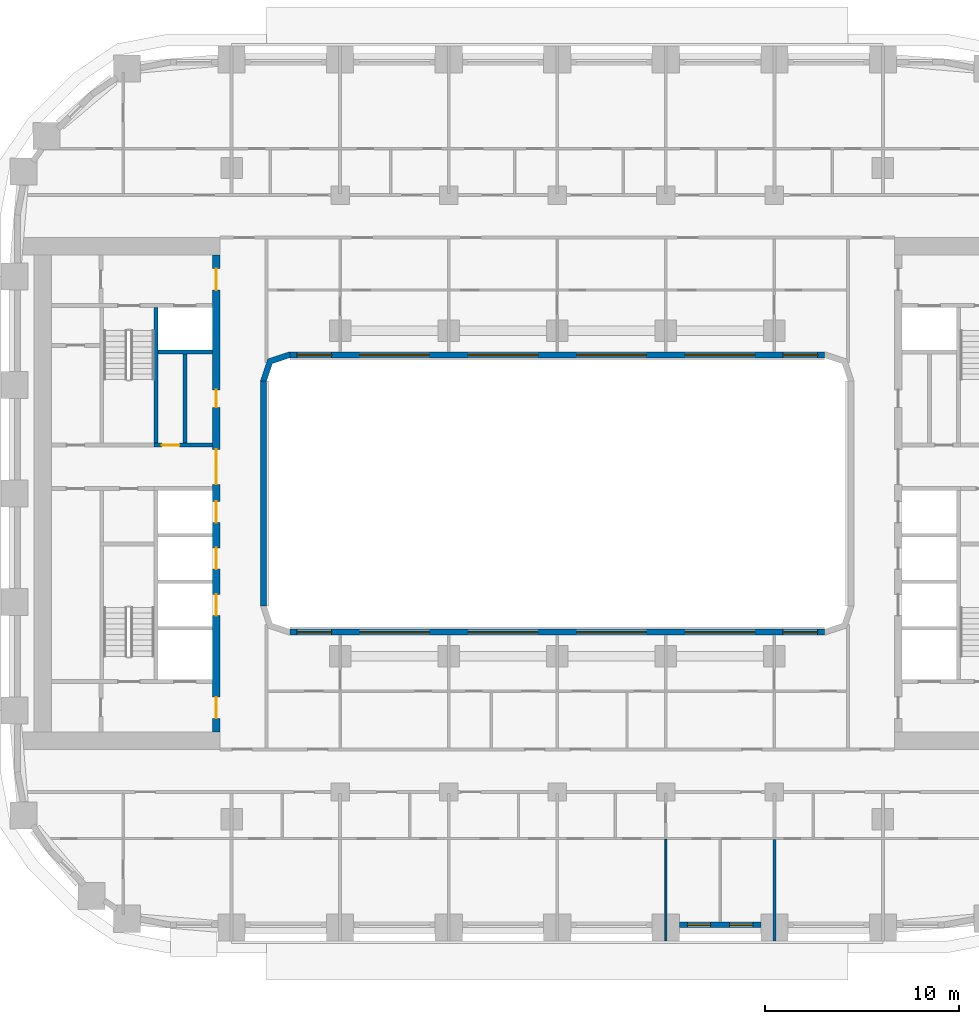
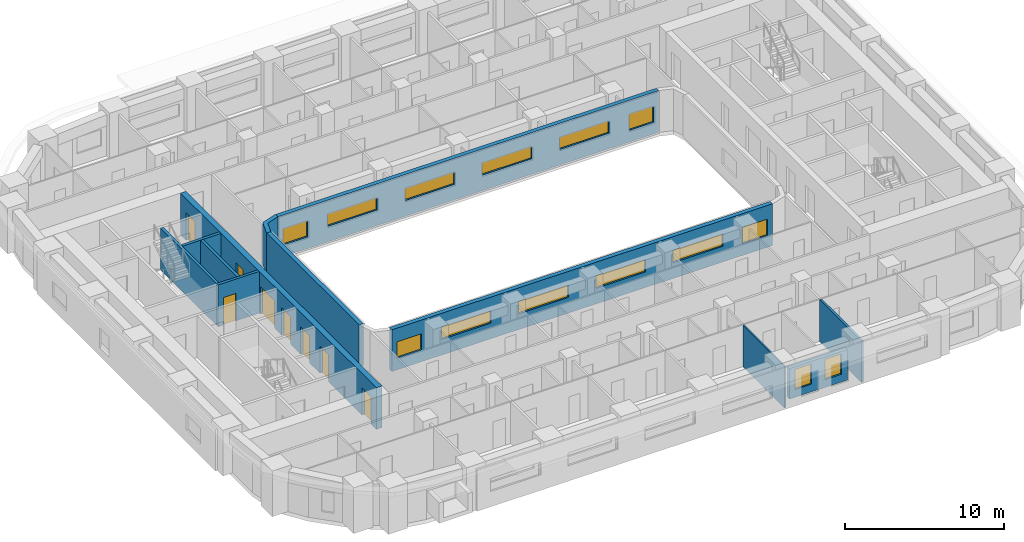
# One storey, part 5 of 22: 14 windows, 12 walls, 8 doors, 22 openings.
"""IFC4 building model written with IfcOpenShell, lengths in metres."""

from ifc_helpers import new_model, si_unit, direction, frame, frame_2d, origin, place, context, subcontext, project, spatial, polyline, rectangle, outline, extrude, material, layer, layer_set, type_object, element, fill, save


model = new_model("IFC4")

# Units and contexts
model_context = context("Model", 3, precision=1e-05, world=origin(), true_north=direction((0.0, 1.0)))
body_context = subcontext(model_context, "Body", "Model", "MODEL_VIEW")
ifc_project = project(units=[si_unit("LENGTHUNIT", "METRE"), si_unit("AREAUNIT", "SQUARE_METRE"), si_unit("VOLUMEUNIT", "CUBIC_METRE"), si_unit("PLANEANGLEUNIT", "RADIAN"), si_unit("MASSUNIT", "GRAM", prefix="KILO")], contexts=[model_context])

# Site, building, storey
site_placement = place(None, origin())
site = spatial("IfcSite", under=ifc_project, at=site_placement, CompositionType="ELEMENT")
building_placement = place(site_placement, origin())
building = spatial("IfcBuilding", under=site, at=building_placement, Name="Kiln Ring Residences", CompositionType="ELEMENT")
storey_placement = place(building_placement, frame((0.0, 0.0, 65.5)))
storey = spatial("IfcBuildingStorey", under=building, at=storey_placement, Name="L16", CompositionType="ELEMENT", Elevation=65.5)

# Wall
ifc_material_1 = material(Name="Gypsum board on steel studs", Category="steel")
ifc_layer_1 = layer(ifc_material_1, 0.199951171875)
ifc_layer_set_1 = layer_set([ifc_layer_1], Name="CORE-PARTITION-200")
wall_type_1 = type_object("IfcWallType", Name="CORE-PARTITION-200", PredefinedType="PARTITIONING", material=ifc_layer_set_1)
wall_1_placement = place(storey_placement, frame((-19.199951171875, 2.60009765625, 0.0), z_axis=(0.0, 0.0, 1.0), x_axis=(0.0, 1.0, 0.0)))
element("IfcWall", 1, at=wall_1_placement, inside=storey, type_object=wall_type_1, Name="Core partition west L16 3", PredefinedType="PARTITIONING", context=body_context, shape_type="SweptSolid", body=[
    extrude(rectangle(XDim=4.599853515625, YDim=0.199951171875, at=frame_2d((2.2998046875, 0.0))), origin(), (0.0, 0.0, 1.0), 3.199951171875),
])

# Wall, opening, door
ifc_material_2 = material(Name="Gypsum shaft wall system")
ifc_layer_2 = layer(ifc_material_2, 0.199951171875)
ifc_layer_set_2 = layer_set([ifc_layer_2], Name="CORE-SHAFT-WALL-200")
wall_type_2 = type_object("IfcWallType", Name="CORE-SHAFT-WALL-200", PredefinedType="PARTITIONING", material=ifc_layer_set_2)
wall_2_placement = place(storey_placement, frame((-17.800048828125, 2.5, 0.0), z_axis=(0.0, 0.0, 1.0), x_axis=(-1.0, 0.0, 0.0)))
wall_2 = element("IfcWall", 2, at=wall_2_placement, inside=storey, type_object=wall_type_2, Name="Core partition west L16 11", PredefinedType="PARTITIONING", context=body_context, shape_type="SweptSolid", body=[
    extrude(rectangle(XDim=3.0, YDim=0.199951171875, at=frame_2d((1.5, 0.0))), origin(), (0.0, 0.0, 1.0), 3.199951171875),
])
opening_1_placement = place(wall_2_placement, frame((1.699951171875, 0.0, 0.0)))
opening_1 = element("IfcOpeningElement", 3, at=opening_1_placement, cuts=wall_2, Name="Opening L16-CW06", PredefinedType="OPENING", context=body_context, shape_type="SweptSolid", body=[
    extrude(rectangle(XDim=0.89990234375, YDim=2.10009765625, at=frame_2d((0.449951171875, 1.050048828125))), frame((0.0, 0.10986328125, 0.0), z_axis=(0.0, -1.0, 0.0), x_axis=(1.0, 0.0, 0.0)), (0.0, 0.0, 1.0), 0.219970703125),
])
ifc_material_3 = material(Name="Steel door leaf", Category="steel")
door_type_1 = type_object("IfcDoorType", Name="CORE-DOOR-ROOM", OperationType="SINGLE_SWING_LEFT", PredefinedType="DOOR", material=ifc_material_3)
door_1_placement = place(opening_1_placement, origin())
door_1 = element("IfcDoor", 4, at=door_1_placement, inside=storey, type_object=door_type_1, Name="Service store L16-CW06", OperationType="SINGLE_SWING_LEFT", OverallHeight=2.10009765625, OverallWidth=0.89990234375, PredefinedType="DOOR", context=body_context, shape_type="SweptSolid", body=[
    extrude(rectangle(XDim=0.89990234375, YDim=2.10009765625, at=frame_2d((0.449951171875, 1.050048828125))), frame((0.0, 0.02490234375, 0.0), z_axis=(0.0, -1.0, 0.0), x_axis=(1.0, 0.0, 0.0)), (0.0, 0.0, 1.0), 0.050048828125),
])
fill(opening_1, door_1)

# Walls
wall_3_placement = place(storey_placement, frame((-17.800048828125, 7.300048828125, 0.0), z_axis=(0.0, 0.0, 1.0), x_axis=(-1.0, 0.0, 0.0)))
element("IfcWall", 5, at=wall_3_placement, inside=storey, type_object=wall_type_2, Name="Core partition west L16 12", PredefinedType="PARTITIONING", context=body_context, shape_type="SweptSolid", body=[
    extrude(rectangle(XDim=2.800048828125, YDim=0.199951171875, at=frame_2d((1.39990234375, 0.0))), origin(), (0.0, 0.0, 1.0), 3.199951171875),
])
ifc_material_4 = material(Name="Concrete C40/50", Category="concrete")
ifc_layer_3 = layer(ifc_material_4, 0.199951171875)
ifc_layer_set_3 = layer_set([ifc_layer_3], Name="CORE-WALL-RC200")
wall_type_3 = type_object("IfcWallType", Name="CORE-WALL-RC200", PredefinedType="SHEAR", material=ifc_layer_set_3)
wall_4_placement = place(storey_placement, frame((-20.699951171875, 2.60009765625, 0.0), z_axis=(0.0, 0.0, 1.0), x_axis=(0.0, 1.0, 0.0)))
element("IfcWall", 6, at=wall_4_placement, inside=storey, type_object=wall_type_3, Name="Core wall west L16 1", PredefinedType="SHEAR", context=body_context, shape_type="SweptSolid", body=[
    extrude(rectangle(XDim=7.0, YDim=0.199951171875, at=frame_2d((3.5, 0.0))), origin(), (0.0, 0.0, 1.0), 3.199951171875),
])

# Wall, openings, doors
ifc_material_5 = material(Name="Concrete C60/75", Category="concrete")
ifc_layer_4 = layer(ifc_material_5, 0.39990234375)
ifc_layer_set_4 = layer_set([ifc_layer_4], Name="CORE-WALL-RC400")
wall_type_4 = type_object("IfcWallType", Name="CORE-WALL-RC400", PredefinedType="SHEAR", material=ifc_layer_set_4)
wall_5_placement = place(storey_placement, frame((-17.60009765625, -12.300048828125, 0.0), z_axis=(0.0, 0.0, 1.0), x_axis=(0.0, 1.0, 0.0)))
wall_5 = element("IfcWall", 7, at=wall_5_placement, inside=storey, type_object=wall_type_4, Name="Core wall west L16 6", PredefinedType="SHEAR", context=body_context, shape_type="SweptSolid", body=[
    extrude(rectangle(XDim=24.60009765625, YDim=0.39990234375, at=frame_2d((12.300048828125, 0.0))), origin(), (0.0, 0.0, 1.0), 3.199951171875),
])
opening_2_placement = place(wall_5_placement, frame((6.0, 0.0, 0.0)))
opening_2 = element("IfcOpeningElement", 8, at=opening_2_placement, cuts=wall_5, Name="Opening L16-CW02", PredefinedType="OPENING", context=body_context, shape_type="SweptSolid", body=[
    extrude(rectangle(XDim=1.10009765625, YDim=2.10009765625, at=frame_2d((0.550048828125, 1.050048828125))), frame((0.0, 0.2099609375, 0.0), z_axis=(0.0, -1.0, 0.0), x_axis=(1.0, 0.0, 0.0)), (0.0, 0.0, 1.0), 0.419921875),
])
opening_3_placement = place(wall_5_placement, frame((8.39990234375, 0.0, 0.0)))
opening_3 = element("IfcOpeningElement", 9, at=opening_3_placement, cuts=wall_5, Name="Opening L16-CW03", PredefinedType="OPENING", context=body_context, shape_type="SweptSolid", body=[
    extrude(rectangle(XDim=1.10009765625, YDim=2.10009765625, at=frame_2d((0.550048828125, 1.050048828125))), frame((0.0, 0.2099609375, 0.0), z_axis=(0.0, -1.0, 0.0), x_axis=(1.0, 0.0, 0.0)), (0.0, 0.0, 1.0), 0.419921875),
])
opening_4_placement = place(wall_5_placement, frame((10.800048828125, 0.0, 0.0)))
opening_4 = element("IfcOpeningElement", 10, at=opening_4_placement, cuts=wall_5, Name="Opening L16-CW04", PredefinedType="OPENING", context=body_context, shape_type="SweptSolid", body=[
    extrude(rectangle(XDim=1.10009765625, YDim=2.10009765625, at=frame_2d((0.550048828125, 1.050048828125))), frame((0.0, 0.2099609375, 0.0), z_axis=(0.0, -1.0, 0.0), x_axis=(1.0, 0.0, 0.0)), (0.0, 0.0, 1.0), 0.419921875),
])
opening_5_placement = place(wall_5_placement, frame((16.75, 0.0, 0.0)))
opening_5 = element("IfcOpeningElement", 11, at=opening_5_placement, cuts=wall_5, Name="Opening L16-CW05", PredefinedType="OPENING", context=body_context, shape_type="SweptSolid", body=[
    extrude(rectangle(XDim=0.89990234375, YDim=2.10009765625, at=frame_2d((0.449951171875, 1.050048828125))), frame((0.0, 0.2099609375, 0.0), z_axis=(0.0, -1.0, 0.0), x_axis=(1.0, 0.0, 0.0)), (0.0, 0.0, 1.0), 0.419921875),
])
opening_6_placement = place(wall_5_placement, frame((22.800048828125, 0.0, 0.0)))
opening_6 = element("IfcOpeningElement", 12, at=opening_6_placement, cuts=wall_5, Name="Opening L16-CW08", PredefinedType="OPENING", context=body_context, shape_type="SweptSolid", body=[
    extrude(rectangle(XDim=1.10009765625, YDim=2.10009765625, at=frame_2d((0.550048828125, 1.050048828125))), frame((0.0, 0.2099609375, 0.0), z_axis=(0.0, -1.0, 0.0), x_axis=(1.0, 0.0, 0.0)), (0.0, 0.0, 1.0), 0.419921875),
])
opening_7_placement = place(wall_5_placement, frame((0.699951171875, 0.0, 0.0)))
opening_7 = element("IfcOpeningElement", 13, at=opening_7_placement, cuts=wall_5, Name="Opening L16-CW09", PredefinedType="OPENING", context=body_context, shape_type="SweptSolid", body=[
    extrude(rectangle(XDim=1.10009765625, YDim=2.10009765625, at=frame_2d((0.550048828125, 1.050048828125))), frame((0.0, 0.2099609375, 0.0), z_axis=(0.0, -1.0, 0.0), x_axis=(1.0, 0.0, 0.0)), (0.0, 0.0, 1.0), 0.419921875),
])
opening_8_placement = place(wall_5_placement, frame((12.77490234375, 0.0, 0.0)))
opening_8 = element("IfcOpeningElement", 14, at=opening_8_placement, cuts=wall_5, Name="Opening L16-CW14", PredefinedType="OPENING", context=body_context, shape_type="SweptSolid", body=[
    extrude(rectangle(XDim=1.800048828125, YDim=2.10009765625, at=frame_2d((0.89990234375, 1.050048828125))), frame((0.0, 0.2099609375, 0.0), z_axis=(0.0, -1.0, 0.0), x_axis=(1.0, 0.0, 0.0)), (0.0, 0.0, 1.0), 0.419921875),
])
ifc_material_6 = material(Name="Steel door leaf", Category="steel")
door_type_2 = type_object("IfcDoorType", Name="CORE-DOOR-LD", OperationType="DOUBLE_DOOR_SLIDING", PredefinedType="DOOR", material=ifc_material_6)
door_2_placement = place(opening_2_placement, origin())
door_2 = element("IfcDoor", 15, at=door_2_placement, inside=storey, type_object=door_type_2, Name="LD W-L1 L16-CW02", OperationType="DOUBLE_DOOR_SLIDING", OverallHeight=2.10009765625, OverallWidth=1.10009765625, PredefinedType="DOOR", context=body_context, shape_type="SweptSolid", body=[
    extrude(rectangle(XDim=1.10009765625, YDim=2.10009765625, at=frame_2d((0.550048828125, 1.050048828125))), frame((0.0, 0.02490234375, 0.0), z_axis=(0.0, -1.0, 0.0), x_axis=(1.0, 0.0, 0.0)), (0.0, 0.0, 1.0), 0.050048828125),
])
fill(opening_2, door_2)
door_3_placement = place(opening_3_placement, origin())
door_3 = element("IfcDoor", 16, at=door_3_placement, inside=storey, type_object=door_type_2, Name="LD W-L2 L16-CW03", OperationType="DOUBLE_DOOR_SLIDING", OverallHeight=2.10009765625, OverallWidth=1.10009765625, PredefinedType="DOOR", context=body_context, shape_type="SweptSolid", body=[
    extrude(rectangle(XDim=1.10009765625, YDim=2.10009765625, at=frame_2d((0.550048828125, 1.050048828125))), frame((0.0, 0.02490234375, 0.0), z_axis=(0.0, -1.0, 0.0), x_axis=(1.0, 0.0, 0.0)), (0.0, 0.0, 1.0), 0.050048828125),
])
fill(opening_3, door_3)
door_4_placement = place(opening_4_placement, origin())
door_4 = element("IfcDoor", 17, at=door_4_placement, inside=storey, type_object=door_type_2, Name="LD W-L3 L16-CW04", OperationType="DOUBLE_DOOR_SLIDING", OverallHeight=2.10009765625, OverallWidth=1.10009765625, PredefinedType="DOOR", context=body_context, shape_type="SweptSolid", body=[
    extrude(rectangle(XDim=1.10009765625, YDim=2.10009765625, at=frame_2d((0.550048828125, 1.050048828125))), frame((0.0, 0.02490234375, 0.0), z_axis=(0.0, -1.0, 0.0), x_axis=(1.0, 0.0, 0.0)), (0.0, 0.0, 1.0), 0.050048828125),
])
fill(opening_4, door_4)
ifc_material_7 = material(Name="Steel door leaf", Category="steel")
door_type_3 = type_object("IfcDoorType", Name="CORE-DOOR-LOBBY", OperationType="SINGLE_SWING_LEFT", PredefinedType="DOOR", material=ifc_material_7)
door_5_placement = place(opening_6_placement, origin())
door_5 = element("IfcDoor", 18, at=door_5_placement, inside=storey, type_object=door_type_3, Name="FFL L16-CW08", OperationType="SINGLE_SWING_LEFT", OverallHeight=2.10009765625, OverallWidth=1.10009765625, PredefinedType="DOOR", context=body_context, shape_type="SweptSolid", body=[
    extrude(rectangle(XDim=1.10009765625, YDim=2.10009765625, at=frame_2d((0.550048828125, 1.050048828125))), frame((0.0, 0.02490234375, 0.0), z_axis=(0.0, -1.0, 0.0), x_axis=(1.0, 0.0, 0.0)), (0.0, 0.0, 1.0), 0.050048828125),
])
fill(opening_6, door_5)
door_6_placement = place(opening_7_placement, origin())
door_6 = element("IfcDoor", 19, at=door_6_placement, inside=storey, type_object=door_type_3, Name="SVL L16-CW09", OperationType="SINGLE_SWING_RIGHT", OverallHeight=2.10009765625, OverallWidth=1.10009765625, PredefinedType="DOOR", context=body_context, shape_type="SweptSolid", body=[
    extrude(rectangle(XDim=1.10009765625, YDim=2.10009765625, at=frame_2d((0.550048828125, 1.050048828125))), frame((0.0, 0.02490234375, 0.0), z_axis=(0.0, -1.0, 0.0), x_axis=(1.0, 0.0, 0.0)), (0.0, 0.0, 1.0), 0.050048828125),
])
fill(opening_7, door_6)
ifc_material_8 = material(Name="Steel door leaf", Category="steel")
door_type_4 = type_object("IfcDoorType", Name="CORE-DOOR-PASS", OperationType="DOUBLE_DOOR_SINGLE_SWING", PredefinedType="DOOR", material=ifc_material_8)
door_7_placement = place(opening_8_placement, origin())
door_7 = element("IfcDoor", 20, at=door_7_placement, inside=storey, type_object=door_type_4, Name="Core passage L16-CW14", OperationType="DOUBLE_DOOR_SINGLE_SWING", OverallHeight=2.10009765625, OverallWidth=1.800048828125, PredefinedType="DOOR", context=body_context, shape_type="SweptSolid", body=[
    extrude(rectangle(XDim=1.800048828125, YDim=2.10009765625, at=frame_2d((0.89990234375, 1.050048828125))), frame((0.0, 0.02490234375, 0.0), z_axis=(0.0, -1.0, 0.0), x_axis=(1.0, 0.0, 0.0)), (0.0, 0.0, 1.0), 0.050048828125),
])
fill(opening_8, door_7)
door_8_placement = place(opening_5_placement, origin())
door_8 = element("IfcDoor", 21, at=door_8_placement, inside=storey, type_object=door_type_1, Name="Linen store L16-CW05", OperationType="SINGLE_SWING_LEFT", OverallHeight=2.10009765625, OverallWidth=0.89990234375, PredefinedType="DOOR", context=body_context, shape_type="SweptSolid", body=[
    extrude(rectangle(XDim=0.89990234375, YDim=2.10009765625, at=frame_2d((0.449951171875, 1.050048828125))), frame((0.0, 0.02490234375, 0.0), z_axis=(0.0, -1.0, 0.0), x_axis=(1.0, 0.0, 0.0)), (0.0, 0.0, 1.0), 0.050048828125),
])
fill(opening_5, door_8)

# Wall, openings, windows
ifc_material_9 = material(Name="Brick masonry, dark clay brick", Category="masonry")
ifc_layer_5 = layer(ifc_material_9, 0.300048828125)
ifc_layer_set_5 = layer_set([ifc_layer_5], Name="EW-300 BRICK WALL")
wall_type_5 = type_object("IfcWallType", Name="EW-300 BRICK WALL", PredefinedType="SOLIDWALL", material=ifc_layer_set_5)
wall_6_placement = place(storey_placement, frame((6.300048828125, -22.25, 0.0), z_axis=(0.0, 0.0, 1.0), x_axis=(1.0, 0.0, 0.0)))
wall_6 = element("IfcWall", 22, at=wall_6_placement, inside=storey, type_object=wall_type_5, Name="Facade wall L16 9", PredefinedType="SOLIDWALL", context=body_context, shape_type="SweptSolid", body=[
    extrude(rectangle(XDim=4.199951171875, YDim=0.300048828125, at=frame_2d((2.10009765625, 0.0))), origin(), (0.0, 0.0, 1.0), 2.35009765625),
])
opening_9_placement = place(wall_6_placement, frame((0.41259765625, 0.0, 0.60009765625)))
opening_9 = element("IfcOpeningElement", 23, at=opening_9_placement, cuts=wall_6, Name="Opening W1", PredefinedType="OPENING", context=body_context, shape_type="SweptSolid", body=[
    extrude(rectangle(XDim=1.199951171875, YDim=1.550048828125, at=frame_2d((0.60009765625, 0.77490234375))), frame((0.0, 0.159912109375, 0.0), z_axis=(0.0, -1.0, 0.0), x_axis=(1.0, 0.0, 0.0)), (0.0, 0.0, 1.0), 0.320068359375),
])
opening_10_placement = place(wall_6_placement, frame((2.58740234375, 0.0, 0.60009765625)))
opening_10 = element("IfcOpeningElement", 24, at=opening_10_placement, cuts=wall_6, Name="Opening W1", PredefinedType="OPENING", context=body_context, shape_type="SweptSolid", body=[
    extrude(rectangle(XDim=1.199951171875, YDim=1.550048828125, at=frame_2d((0.60009765625, 0.77490234375))), frame((0.0, 0.159912109375, 0.0), z_axis=(0.0, -1.0, 0.0), x_axis=(1.0, 0.0, 0.0)), (0.0, 0.0, 1.0), 0.320068359375),
])
ifc_material_10 = material(Name="Aluminium frame with double glazing", Category="aluminium")
window_type_1 = type_object("IfcWindowType", Name="WINDOW 1200 x 1550", PartitioningType="SINGLE_PANEL", PredefinedType="WINDOW", material=ifc_material_10)
window_1_placement = place(opening_9_placement, origin())
window_1 = element("IfcWindow", 25, at=window_1_placement, inside=storey, type_object=window_type_1, Name="Window L16 7", OverallHeight=1.550048828125, OverallWidth=1.199951171875, PartitioningType="SINGLE_PANEL", PredefinedType="WINDOW", context=body_context, shape_type="SweptSolid", body=[
    extrude(rectangle(XDim=1.199951171875, YDim=1.550048828125, at=frame_2d((0.60009765625, 0.77490234375))), frame((0.0, 0.030029296875, 0.0), z_axis=(0.0, -1.0, 0.0), x_axis=(1.0, 0.0, 0.0)), (0.0, 0.0, 1.0), 0.06005859375),
])
fill(opening_9, window_1)
window_2_placement = place(opening_10_placement, origin())
window_2 = element("IfcWindow", 26, at=window_2_placement, inside=storey, type_object=window_type_1, Name="Window L16 8", OverallHeight=1.550048828125, OverallWidth=1.199951171875, PartitioningType="SINGLE_PANEL", PredefinedType="WINDOW", context=body_context, shape_type="SweptSolid", body=[
    extrude(rectangle(XDim=1.199951171875, YDim=1.550048828125, at=frame_2d((0.60009765625, 0.77490234375))), frame((0.0, 0.030029296875, 0.0), z_axis=(0.0, -1.0, 0.0), x_axis=(1.0, 0.0, 0.0)), (0.0, 0.0, 1.0), 0.06005859375),
])
fill(opening_10, window_2)

# Wall
wall_7_placement = place(storey_placement, frame((-15.14990234375, -5.800048828125, 0.0), z_axis=(0.0, 0.0, 1.0), x_axis=(0.0, 1.0, 0.0)))
element("IfcWall", 27, at=wall_7_placement, inside=storey, type_object=wall_type_5, Name="Facade wall L16 49", PredefinedType="SOLIDWALL", context=body_context, shape_type="SweptSolid", body=[
    extrude(rectangle(XDim=11.60009765625, YDim=0.300048828125, at=frame_2d((5.800048828125, 0.0))), origin(), (0.0, 0.0, 1.0), 3.199951171875),
])

# Wall, openings, windows
wall_8_placement = place(storey_placement, frame((-13.800048828125, 7.14990234375, 0.0), z_axis=(0.0, 0.0, 1.0), x_axis=(1.0, 0.0, 0.0)))
wall_8 = element("IfcWall", 28, at=wall_8_placement, inside=storey, type_object=wall_type_5, Name="Facade wall L16 50", PredefinedType="SOLIDWALL", context=body_context, shape_type="SweptSolid", body=[
    extrude(rectangle(XDim=27.60009765625, YDim=0.300048828125, at=frame_2d((13.800048828125, 0.0))), origin(), (0.0, 0.0, 1.0), 3.199951171875),
])
opening_11_placement = place(wall_8_placement, frame((0.362548828125, 0.0, 0.89990234375)))
opening_11 = element("IfcOpeningElement", 29, at=opening_11_placement, cuts=wall_8, Name="Opening W2", PredefinedType="OPENING", context=body_context, shape_type="SweptSolid", body=[
    extrude(rectangle(XDim=1.800048828125, YDim=1.25, at=frame_2d((0.89990234375, 0.625))), frame((0.0, 0.159912109375, 0.0), z_axis=(0.0, -1.0, 0.0), x_axis=(1.0, 0.0, 0.0)), (0.0, 0.0, 1.0), 0.320068359375),
])
opening_12_placement = place(wall_8_placement, frame((3.60009765625, 0.0, 1.199951171875)))
opening_12 = element("IfcOpeningElement", 30, at=opening_12_placement, cuts=wall_8, Name="Opening W4", PredefinedType="OPENING", context=body_context, shape_type="SweptSolid", body=[
    extrude(rectangle(XDim=3.60009765625, YDim=0.949951171875, at=frame_2d((1.800048828125, 0.47509765625))), frame((0.0, 0.159912109375, 0.0), z_axis=(0.0, -1.0, 0.0), x_axis=(1.0, 0.0, 0.0)), (0.0, 0.0, 1.0), 0.320068359375),
])
opening_13_placement = place(wall_8_placement, frame((9.199951171875, 0.0, 1.199951171875)))
opening_13 = element("IfcOpeningElement", 31, at=opening_13_placement, cuts=wall_8, Name="Opening W4", PredefinedType="OPENING", context=body_context, shape_type="SweptSolid", body=[
    extrude(rectangle(XDim=3.60009765625, YDim=0.949951171875, at=frame_2d((1.800048828125, 0.47509765625))), frame((0.0, 0.159912109375, 0.0), z_axis=(0.0, -1.0, 0.0), x_axis=(1.0, 0.0, 0.0)), (0.0, 0.0, 1.0), 0.320068359375),
])
opening_14_placement = place(wall_8_placement, frame((14.800048828125, 0.0, 1.199951171875)))
opening_14 = element("IfcOpeningElement", 32, at=opening_14_placement, cuts=wall_8, Name="Opening W4", PredefinedType="OPENING", context=body_context, shape_type="SweptSolid", body=[
    extrude(rectangle(XDim=3.60009765625, YDim=0.949951171875, at=frame_2d((1.800048828125, 0.47509765625))), frame((0.0, 0.159912109375, 0.0), z_axis=(0.0, -1.0, 0.0), x_axis=(1.0, 0.0, 0.0)), (0.0, 0.0, 1.0), 0.320068359375),
])
opening_15_placement = place(wall_8_placement, frame((20.39990234375, 0.0, 1.199951171875)))
opening_15 = element("IfcOpeningElement", 33, at=opening_15_placement, cuts=wall_8, Name="Opening W4", PredefinedType="OPENING", context=body_context, shape_type="SweptSolid", body=[
    extrude(rectangle(XDim=3.60009765625, YDim=0.949951171875, at=frame_2d((1.800048828125, 0.47509765625))), frame((0.0, 0.159912109375, 0.0), z_axis=(0.0, -1.0, 0.0), x_axis=(1.0, 0.0, 0.0)), (0.0, 0.0, 1.0), 0.320068359375),
])
opening_16_placement = place(wall_8_placement, frame((25.4375, 0.0, 0.89990234375)))
opening_16 = element("IfcOpeningElement", 34, at=opening_16_placement, cuts=wall_8, Name="Opening W2", PredefinedType="OPENING", context=body_context, shape_type="SweptSolid", body=[
    extrude(rectangle(XDim=1.800048828125, YDim=1.25, at=frame_2d((0.89990234375, 0.625))), frame((0.0, 0.159912109375, 0.0), z_axis=(0.0, -1.0, 0.0), x_axis=(1.0, 0.0, 0.0)), (0.0, 0.0, 1.0), 0.320068359375),
])
ifc_material_11 = material(Name="Aluminium frame with double glazing", Category="aluminium")
window_type_2 = type_object("IfcWindowType", Name="WINDOW 1800 x 1250", PartitioningType="SINGLE_PANEL", PredefinedType="WINDOW", material=ifc_material_11)
window_3_placement = place(opening_11_placement, origin())
window_3 = element("IfcWindow", 35, at=window_3_placement, inside=storey, type_object=window_type_2, Name="Window L16 22", OverallHeight=1.25, OverallWidth=1.800048828125, PartitioningType="SINGLE_PANEL", PredefinedType="WINDOW", context=body_context, shape_type="SweptSolid", body=[
    extrude(rectangle(XDim=1.800048828125, YDim=1.25, at=frame_2d((0.89990234375, 0.625))), frame((0.0, 0.030029296875, 0.0), z_axis=(0.0, -1.0, 0.0), x_axis=(1.0, 0.0, 0.0)), (0.0, 0.0, 1.0), 0.06005859375),
])
fill(opening_11, window_3)
window_4_placement = place(opening_16_placement, origin())
window_4 = element("IfcWindow", 36, at=window_4_placement, inside=storey, type_object=window_type_2, Name="Window L16 27", OverallHeight=1.25, OverallWidth=1.800048828125, PartitioningType="SINGLE_PANEL", PredefinedType="WINDOW", context=body_context, shape_type="SweptSolid", body=[
    extrude(rectangle(XDim=1.800048828125, YDim=1.25, at=frame_2d((0.89990234375, 0.625))), frame((0.0, 0.030029296875, 0.0), z_axis=(0.0, -1.0, 0.0), x_axis=(1.0, 0.0, 0.0)), (0.0, 0.0, 1.0), 0.06005859375),
])
fill(opening_16, window_4)
ifc_material_12 = material(Name="Aluminium frame with double glazing", Category="aluminium")
window_type_3 = type_object("IfcWindowType", Name="WINDOW 3600 x 950", PartitioningType="SINGLE_PANEL", PredefinedType="WINDOW", material=ifc_material_12)
window_5_placement = place(opening_12_placement, origin())
window_5 = element("IfcWindow", 37, at=window_5_placement, inside=storey, type_object=window_type_3, Name="Window L16 23", OverallHeight=0.949951171875, OverallWidth=3.60009765625, PartitioningType="SINGLE_PANEL", PredefinedType="WINDOW", context=body_context, shape_type="SweptSolid", body=[
    extrude(rectangle(XDim=3.60009765625, YDim=0.949951171875, at=frame_2d((1.800048828125, 0.47509765625))), frame((0.0, 0.030029296875, 0.0), z_axis=(0.0, -1.0, 0.0), x_axis=(1.0, 0.0, 0.0)), (0.0, 0.0, 1.0), 0.06005859375),
])
fill(opening_12, window_5)
window_6_placement = place(opening_13_placement, origin())
window_6 = element("IfcWindow", 38, at=window_6_placement, inside=storey, type_object=window_type_3, Name="Window L16 24", OverallHeight=0.949951171875, OverallWidth=3.60009765625, PartitioningType="SINGLE_PANEL", PredefinedType="WINDOW", context=body_context, shape_type="SweptSolid", body=[
    extrude(rectangle(XDim=3.60009765625, YDim=0.949951171875, at=frame_2d((1.800048828125, 0.47509765625))), frame((0.0, 0.030029296875, 0.0), z_axis=(0.0, -1.0, 0.0), x_axis=(1.0, 0.0, 0.0)), (0.0, 0.0, 1.0), 0.06005859375),
])
fill(opening_13, window_6)
window_7_placement = place(opening_14_placement, origin())
window_7 = element("IfcWindow", 39, at=window_7_placement, inside=storey, type_object=window_type_3, Name="Window L16 25", OverallHeight=0.949951171875, OverallWidth=3.60009765625, PartitioningType="SINGLE_PANEL", PredefinedType="WINDOW", context=body_context, shape_type="SweptSolid", body=[
    extrude(rectangle(XDim=3.60009765625, YDim=0.949951171875, at=frame_2d((1.800048828125, 0.47509765625))), frame((0.0, 0.030029296875, 0.0), z_axis=(0.0, -1.0, 0.0), x_axis=(1.0, 0.0, 0.0)), (0.0, 0.0, 1.0), 0.06005859375),
])
fill(opening_14, window_7)
window_8_placement = place(opening_15_placement, origin())
window_8 = element("IfcWindow", 40, at=window_8_placement, inside=storey, type_object=window_type_3, Name="Window L16 26", OverallHeight=0.949951171875, OverallWidth=3.60009765625, PartitioningType="SINGLE_PANEL", PredefinedType="WINDOW", context=body_context, shape_type="SweptSolid", body=[
    extrude(rectangle(XDim=3.60009765625, YDim=0.949951171875, at=frame_2d((1.800048828125, 0.47509765625))), frame((0.0, 0.030029296875, 0.0), z_axis=(0.0, -1.0, 0.0), x_axis=(1.0, 0.0, 0.0)), (0.0, 0.0, 1.0), 0.06005859375),
])
fill(opening_15, window_8)

wall_9_placement = place(storey_placement, frame((13.800048828125, -7.14990234375, 0.0), z_axis=(0.0, 0.0, 1.0), x_axis=(-1.0, 0.0, 0.0)))
wall_9 = element("IfcWall", 41, at=wall_9_placement, inside=storey, type_object=wall_type_5, Name="Facade wall L16 52", PredefinedType="SOLIDWALL", context=body_context, shape_type="SweptSolid", body=[
    extrude(rectangle(XDim=27.60009765625, YDim=0.300048828125, at=frame_2d((13.800048828125, 0.0))), origin(), (0.0, 0.0, 1.0), 3.199951171875),
])
opening_17_placement = place(wall_9_placement, frame((0.362548828125, 0.0, 0.89990234375)))
opening_17 = element("IfcOpeningElement", 42, at=opening_17_placement, cuts=wall_9, Name="Opening W2", PredefinedType="OPENING", context=body_context, shape_type="SweptSolid", body=[
    extrude(rectangle(XDim=1.800048828125, YDim=1.25, at=frame_2d((0.89990234375, 0.625))), frame((0.0, 0.159912109375, 0.0), z_axis=(0.0, -1.0, 0.0), x_axis=(1.0, 0.0, 0.0)), (0.0, 0.0, 1.0), 0.320068359375),
])
opening_18_placement = place(wall_9_placement, frame((3.60009765625, 0.0, 1.199951171875)))
opening_18 = element("IfcOpeningElement", 43, at=opening_18_placement, cuts=wall_9, Name="Opening W4", PredefinedType="OPENING", context=body_context, shape_type="SweptSolid", body=[
    extrude(rectangle(XDim=3.60009765625, YDim=0.949951171875, at=frame_2d((1.800048828125, 0.47509765625))), frame((0.0, 0.159912109375, 0.0), z_axis=(0.0, -1.0, 0.0), x_axis=(1.0, 0.0, 0.0)), (0.0, 0.0, 1.0), 0.320068359375),
])
opening_19_placement = place(wall_9_placement, frame((9.199951171875, 0.0, 1.199951171875)))
opening_19 = element("IfcOpeningElement", 44, at=opening_19_placement, cuts=wall_9, Name="Opening W4", PredefinedType="OPENING", context=body_context, shape_type="SweptSolid", body=[
    extrude(rectangle(XDim=3.60009765625, YDim=0.949951171875, at=frame_2d((1.800048828125, 0.47509765625))), frame((0.0, 0.159912109375, 0.0), z_axis=(0.0, -1.0, 0.0), x_axis=(1.0, 0.0, 0.0)), (0.0, 0.0, 1.0), 0.320068359375),
])
opening_20_placement = place(wall_9_placement, frame((14.800048828125, 0.0, 1.199951171875)))
opening_20 = element("IfcOpeningElement", 45, at=opening_20_placement, cuts=wall_9, Name="Opening W4", PredefinedType="OPENING", context=body_context, shape_type="SweptSolid", body=[
    extrude(rectangle(XDim=3.60009765625, YDim=0.949951171875, at=frame_2d((1.800048828125, 0.47509765625))), frame((0.0, 0.159912109375, 0.0), z_axis=(0.0, -1.0, 0.0), x_axis=(1.0, 0.0, 0.0)), (0.0, 0.0, 1.0), 0.320068359375),
])
opening_21_placement = place(wall_9_placement, frame((20.39990234375, 0.0, 1.199951171875)))
opening_21 = element("IfcOpeningElement", 46, at=opening_21_placement, cuts=wall_9, Name="Opening W4", PredefinedType="OPENING", context=body_context, shape_type="SweptSolid", body=[
    extrude(rectangle(XDim=3.60009765625, YDim=0.949951171875, at=frame_2d((1.800048828125, 0.47509765625))), frame((0.0, 0.159912109375, 0.0), z_axis=(0.0, -1.0, 0.0), x_axis=(1.0, 0.0, 0.0)), (0.0, 0.0, 1.0), 0.320068359375),
])
opening_22_placement = place(wall_9_placement, frame((25.4375, 0.0, 0.89990234375)))
opening_22 = element("IfcOpeningElement", 47, at=opening_22_placement, cuts=wall_9, Name="Opening W2", PredefinedType="OPENING", context=body_context, shape_type="SweptSolid", body=[
    extrude(rectangle(XDim=1.800048828125, YDim=1.25, at=frame_2d((0.89990234375, 0.625))), frame((0.0, 0.159912109375, 0.0), z_axis=(0.0, -1.0, 0.0), x_axis=(1.0, 0.0, 0.0)), (0.0, 0.0, 1.0), 0.320068359375),
])
window_9_placement = place(opening_17_placement, origin())
window_9 = element("IfcWindow", 48, at=window_9_placement, inside=storey, type_object=window_type_2, Name="Window L16 28", OverallHeight=1.25, OverallWidth=1.800048828125, PartitioningType="SINGLE_PANEL", PredefinedType="WINDOW", context=body_context, shape_type="SweptSolid", body=[
    extrude(rectangle(XDim=1.800048828125, YDim=1.25, at=frame_2d((0.89990234375, 0.625))), frame((0.0, 0.030029296875, 0.0), z_axis=(0.0, -1.0, 0.0), x_axis=(1.0, 0.0, 0.0)), (0.0, 0.0, 1.0), 0.06005859375),
])
fill(opening_17, window_9)
window_10_placement = place(opening_22_placement, origin())
window_10 = element("IfcWindow", 49, at=window_10_placement, inside=storey, type_object=window_type_2, Name="Window L16 33", OverallHeight=1.25, OverallWidth=1.800048828125, PartitioningType="SINGLE_PANEL", PredefinedType="WINDOW", context=body_context, shape_type="SweptSolid", body=[
    extrude(rectangle(XDim=1.800048828125, YDim=1.25, at=frame_2d((0.89990234375, 0.625))), frame((0.0, 0.030029296875, 0.0), z_axis=(0.0, -1.0, 0.0), x_axis=(1.0, 0.0, 0.0)), (0.0, 0.0, 1.0), 0.06005859375),
])
fill(opening_22, window_10)
window_11_placement = place(opening_18_placement, origin())
window_11 = element("IfcWindow", 50, at=window_11_placement, inside=storey, type_object=window_type_3, Name="Window L16 29", OverallHeight=0.949951171875, OverallWidth=3.60009765625, PartitioningType="SINGLE_PANEL", PredefinedType="WINDOW", context=body_context, shape_type="SweptSolid", body=[
    extrude(rectangle(XDim=3.60009765625, YDim=0.949951171875, at=frame_2d((1.800048828125, 0.47509765625))), frame((0.0, 0.030029296875, 0.0), z_axis=(0.0, -1.0, 0.0), x_axis=(1.0, 0.0, 0.0)), (0.0, 0.0, 1.0), 0.06005859375),
])
fill(opening_18, window_11)
window_12_placement = place(opening_19_placement, origin())
window_12 = element("IfcWindow", 51, at=window_12_placement, inside=storey, type_object=window_type_3, Name="Window L16 30", OverallHeight=0.949951171875, OverallWidth=3.60009765625, PartitioningType="SINGLE_PANEL", PredefinedType="WINDOW", context=body_context, shape_type="SweptSolid", body=[
    extrude(rectangle(XDim=3.60009765625, YDim=0.949951171875, at=frame_2d((1.800048828125, 0.47509765625))), frame((0.0, 0.030029296875, 0.0), z_axis=(0.0, -1.0, 0.0), x_axis=(1.0, 0.0, 0.0)), (0.0, 0.0, 1.0), 0.06005859375),
])
fill(opening_19, window_12)
window_13_placement = place(opening_20_placement, origin())
window_13 = element("IfcWindow", 52, at=window_13_placement, inside=storey, type_object=window_type_3, Name="Window L16 31", OverallHeight=0.949951171875, OverallWidth=3.60009765625, PartitioningType="SINGLE_PANEL", PredefinedType="WINDOW", context=body_context, shape_type="SweptSolid", body=[
    extrude(rectangle(XDim=3.60009765625, YDim=0.949951171875, at=frame_2d((1.800048828125, 0.47509765625))), frame((0.0, 0.030029296875, 0.0), z_axis=(0.0, -1.0, 0.0), x_axis=(1.0, 0.0, 0.0)), (0.0, 0.0, 1.0), 0.06005859375),
])
fill(opening_20, window_13)
window_14_placement = place(opening_21_placement, origin())
window_14 = element("IfcWindow", 53, at=window_14_placement, inside=storey, type_object=window_type_3, Name="Window L16 32", OverallHeight=0.949951171875, OverallWidth=3.60009765625, PartitioningType="SINGLE_PANEL", PredefinedType="WINDOW", context=body_context, shape_type="SweptSolid", body=[
    extrude(rectangle(XDim=3.60009765625, YDim=0.949951171875, at=frame_2d((1.800048828125, 0.47509765625))), frame((0.0, 0.030029296875, 0.0), z_axis=(0.0, -1.0, 0.0), x_axis=(1.0, 0.0, 0.0)), (0.0, 0.0, 1.0), 0.06005859375),
])
fill(opening_21, window_14)

# Walls
wall_10_placement = place(storey_placement, origin())
element("IfcWall", 54, at=wall_10_placement, inside=storey, type_object=wall_type_5, Name="Corner wall L16 1", PredefinedType="SOLIDWALL", context=body_context, shape_type="SweptSolid", body=[
    extrude(outline(polyline([(-13.8486328125, 7.300048828125), (-14.937255859375, 6.937255859375), (-15.300048828125, 5.8486328125), (-15.300048828125, 5.800048828125), (-15.0, 5.800048828125), (-14.699951171875, 6.699951171875), (-13.800048828125, 7.0), (-13.800048828125, 7.300048828125), (-13.8486328125, 7.300048828125)])), origin(), (0.0, 0.0, 1.0), 3.199951171875),
])
ifc_material_13 = material(Name="Gypsum board on steel studs", Category="steel")
ifc_layer_6 = layer(ifc_material_13, 0.10009765625)
ifc_layer_set_6 = layer_set([ifc_layer_6], Name="PARTITION-100")
wall_type_6 = type_object("IfcWallType", Name="PARTITION-100", PredefinedType="PARTITIONING", material=ifc_layer_set_6)
wall_11_placement = place(storey_placement, frame((5.60009765625, -23.080078125, 0.0), z_axis=(0.0, 0.0, 1.0), x_axis=(0.0, 1.0, 0.0)))
element("IfcWall", 55, at=wall_11_placement, inside=storey, type_object=wall_type_6, Name="Partition 052", PredefinedType="PARTITIONING", context=body_context, shape_type="SweptSolid", body=[
    extrude(rectangle(XDim=5.22998046875, YDim=0.10009765625, at=frame_2d((2.614990234375, 0.0))), origin(), (0.0, 0.0, 1.0), 3.199951171875),
])
ifc_material_14 = material(Name="Brick masonry partition", Category="masonry")
ifc_layer_7 = layer(ifc_material_14, 0.14990234375)
ifc_layer_set_7 = layer_set([ifc_layer_7], Name="PARTITION-150-ei60")
wall_type_7 = type_object("IfcWallType", Name="PARTITION-150-ei60", PredefinedType="PARTITIONING", material=ifc_layer_set_7)
wall_12_placement = place(storey_placement, frame((11.199951171875, -23.080078125, 0.0), z_axis=(0.0, 0.0, 1.0), x_axis=(0.0, 1.0, 0.0)))
element("IfcWall", 56, at=wall_12_placement, inside=storey, type_object=wall_type_7, Name="Partition 066", PredefinedType="PARTITIONING", context=body_context, shape_type="SweptSolid", body=[
    extrude(rectangle(XDim=5.22998046875, YDim=0.14990234375, at=frame_2d((2.614990234375, 0.0))), origin(), (0.0, 0.0, 1.0), 3.199951171875),
])

save(model, "model.ifc")
